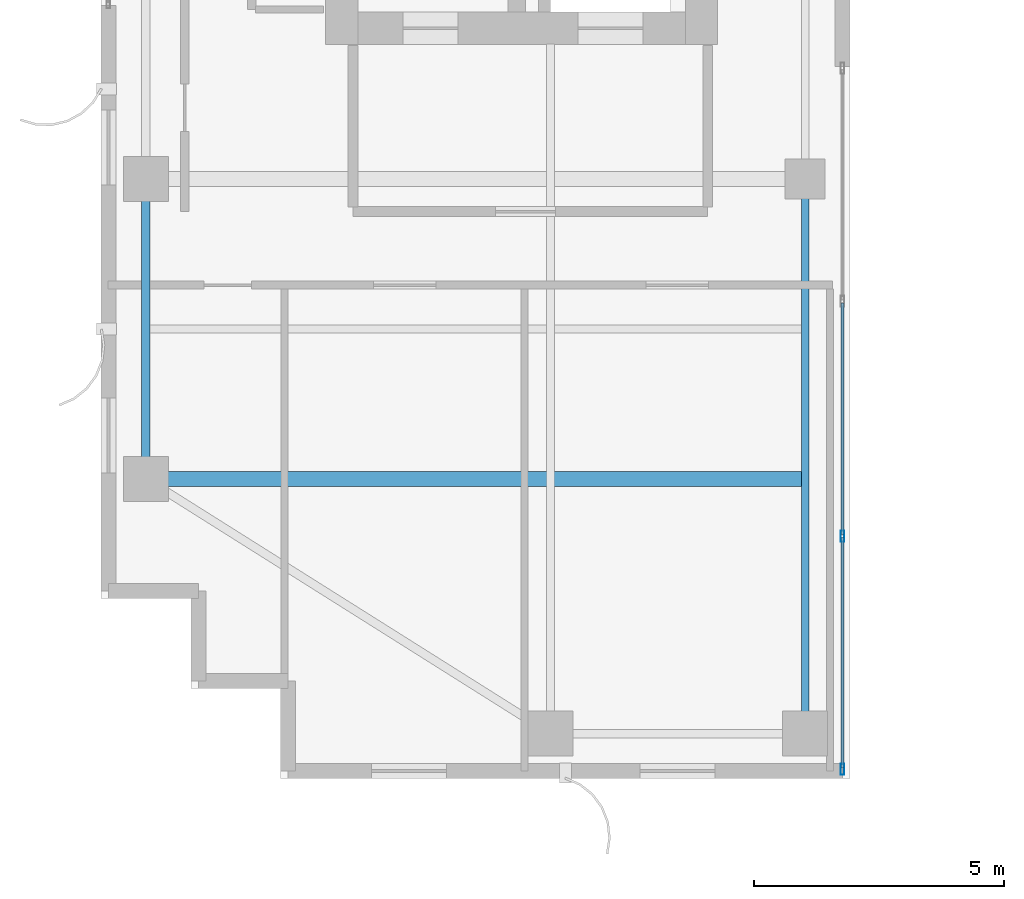
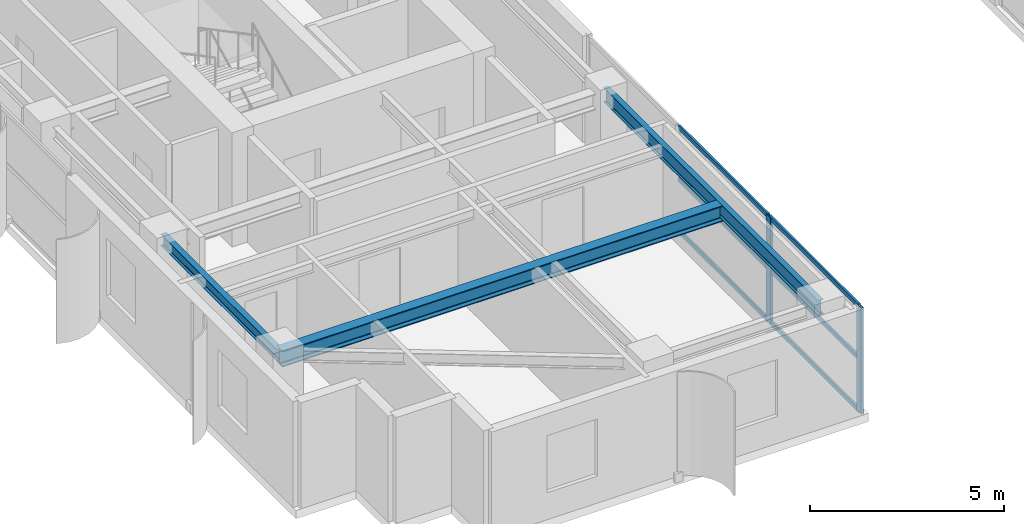
# One storey, part 2 of 22: 8 members, 3 beams, 1 element without a shape of its own.
"""IFC4 building model written with IfcOpenShell, lengths in metres."""

from ifc_helpers import new_model, si_unit, direction, frame, origin, origin_2d, place, context, subcontext, project, spatial, hollow_rectangle, i_section, extrude, source, transform, mapped, material, layer, layer_set, material_profile, profile_set, type_object, element, aggregate, save


model = new_model("IFC4")

# Units and contexts
model_context = context("Model", 3, precision=1e-05, world=origin(), true_north=direction((0.0, 1.0)))
body_context = subcontext(model_context, "Body", "Model", "MODEL_VIEW")
ifc_project = project(units=[si_unit("LENGTHUNIT", "METRE"), si_unit("AREAUNIT", "SQUARE_METRE"), si_unit("VOLUMEUNIT", "CUBIC_METRE"), si_unit("PLANEANGLEUNIT", "RADIAN"), si_unit("MASSUNIT", "GRAM", prefix="KILO")], contexts=[model_context])

# Site, building, storey
site_placement = place(None, origin())
site = spatial("IfcSite", under=ifc_project, at=site_placement, CompositionType="ELEMENT")
building_placement = place(site_placement, origin())
building = spatial("IfcBuilding", under=site, at=building_placement, Name="Khoralis Quay Care Tower", CompositionType="ELEMENT")
storey_placement = place(building_placement, frame((0.0, 0.0, 202.5)))
storey = spatial("IfcBuildingStorey", under=building, at=storey_placement, Name="L53", CompositionType="ELEMENT", Elevation=202.5)

# Beams
ifc_material_1 = material(Name="Steel S355", Category="steel")
ifc_material_profile_1 = material_profile(ifc_material_1, i_section(OverallWidth=0.169921875, OverallDepth=0.360107421875, WebThickness=0.008056640625, FlangeThickness=0.0126953125, FilletRadius=0.01806640625, at=origin_2d()), Name="Steel S355")
ifc_profile_set_1 = profile_set([ifc_material_profile_1], Name="Steel S355")
beam_type_1 = type_object("IfcBeamType", Name="BM-IPE360", PredefinedType="SPANDREL", material=ifc_profile_set_1)
shared_shape_1 = source(origin(), body_context, "Body", "SweptSolid", [
    extrude(i_section(OverallWidth=0.169921875, OverallDepth=0.360107421875, WebThickness=0.008056640625, FlangeThickness=0.0126953125, FilletRadius=0.01806640625, at=origin_2d()), origin(), (0.0, 0.0, 1.0), 6.0),
])
beam_1_placement = place(storey_placement, frame((3.89990234375, 6.0, 3.159912109375), z_axis=(0.0, 1.0, 0.0), x_axis=(-1.0, 0.0, 0.0)))
element("IfcBeam", 1, at=beam_1_placement, inside=storey, type_object=beam_type_1, Name="BM-TSP-L53-05", PredefinedType="SPANDREL", context=body_context, shape_type="MappedRepresentation", body=[
    mapped(shared_shape_1, transform((0.0, 0.0, 0.0), scale=1.0)),
])
ifc_material_profile_2 = material_profile(ifc_material_1, i_section(OverallWidth=0.300048828125, OverallDepth=0.5, WebThickness=0.014404296875, FlangeThickness=0.028076171875, FilletRadius=0.027099609375, at=origin_2d()), Name="Steel S355")
ifc_profile_set_2 = profile_set([ifc_material_profile_2], Name="Steel S355")
beam_type_2 = type_object("IfcBeamType", Name="BM-HEB500", PredefinedType="BEAM", material=ifc_profile_set_2)
shared_shape_2 = source(origin(), body_context, "Body", "SweptSolid", [
    extrude(i_section(OverallWidth=0.300048828125, OverallDepth=0.5, WebThickness=0.014404296875, FlangeThickness=0.028076171875, FilletRadius=0.027099609375, at=origin_2d()), origin(), (0.0, 0.0, 1.0), 13.135009765625),
])
beam_2_placement = place(storey_placement, frame((3.89990234375, 6.0, 3.090087890625), z_axis=(1.0, 0.0, 0.0), x_axis=(0.0, 1.0, 0.0)))
element("IfcBeam", 2, at=beam_2_placement, inside=storey, type_object=beam_type_2, Name="BM-TGXW-L53-60", PredefinedType="BEAM", context=body_context, shape_type="MappedRepresentation", body=[
    mapped(shared_shape_2, transform((0.0, 0.0, 0.0), scale=1.0)),
])
ifc_material_profile_3 = material_profile(ifc_material_1, i_section(OverallWidth=0.154052734375, OverallDepth=0.458984375, WebThickness=0.009033203125, FlangeThickness=0.015380859375, FilletRadius=0.014892578125, at=origin_2d()), Name="Steel S355")
ifc_profile_set_3 = profile_set([ifc_material_profile_3], Name="Steel S355")
beam_type_3 = type_object("IfcBeamType", Name="BM-W460X68", PredefinedType="BEAM", material=ifc_profile_set_3)
shared_shape_3 = source(origin(), body_context, "Body", "SweptSolid", [
    extrude(i_section(OverallWidth=0.154052734375, OverallDepth=0.458984375, WebThickness=0.009033203125, FlangeThickness=0.015380859375, FilletRadius=0.014892578125, at=origin_2d()), origin(), (0.0, 0.0, 1.0), 11.10009765625),
])
beam_3_placement = place(storey_placement, frame((17.10009765625, 0.89990234375, 3.110595703125), z_axis=(0.0, 1.0, 0.0), x_axis=(-1.0, 0.0, 0.0)))
element("IfcBeam", 3, at=beam_3_placement, inside=storey, type_object=beam_type_3, Name="BM-TGYS-L53-171", PredefinedType="BEAM", context=body_context, shape_type="MappedRepresentation", body=[
    mapped(shared_shape_3, transform((0.0, 0.0, 0.0), scale=1.0)),
])

# Curtain wall, members
ifc_material_2 = material(Name="Pale anodised aluminium", Category="aluminium")
ifc_layer = layer(ifc_material_2, 0.18994140625)
ifc_layer_set = layer_set([ifc_layer], Name="Pale anodised aluminium")
curtain_wall_type = type_object("IfcCurtainWallType", Name="CW-SYS-PORTAL", PredefinedType="NOTDEFINED", material=ifc_layer_set)
curtain_wall_placement = place(storey_placement, origin())
curtain_wall = element("IfcCurtainWall", 4, at=curtain_wall_placement, inside=storey, type_object=curtain_wall_type, Name="L53 Unitised Curtain Wall CW-VP-L53-P1-S", PredefinedType="NOTDEFINED")
ifc_material_profile_4 = material_profile(ifc_material_2, hollow_rectangle(XDim=0.074951171875, YDim=0.219970703125, WallThickness=0.00390625, at=origin_2d()), Name="Pale anodised aluminium")
ifc_profile_set_4 = profile_set([ifc_material_profile_4], Name="Pale anodised aluminium")
member_type_1 = type_object("IfcMemberType", Name="CW-MUL-220", PredefinedType="MULLION", material=ifc_profile_set_4)
shared_shape_4 = source(origin(), body_context, "Body", "SweptSolid", [
    extrude(hollow_rectangle(XDim=0.074951171875, YDim=0.219970703125, WallThickness=0.00390625, at=origin_2d()), origin(), (0.0, 0.0, 1.0), 3.340087890625),
])
member_1_placement = place(storey_placement, frame((17.85009765625, 0.179931640625, 0.0), z_axis=(0.0, 0.0, 1.0), x_axis=(-1.0, 0.0, 0.0)))
member_1 = element("IfcMember", 5, at=member_1_placement, type_object=member_type_1, Name="CW4 mullion 1", PredefinedType="MULLION", context=body_context, shape_type="MappedRepresentation", body=[
    mapped(shared_shape_4, transform((0.0, 0.0, 0.0), scale=1.0)),
])
member_2_placement = place(storey_placement, frame((17.85009765625, 4.85009765625, 0.0), z_axis=(0.0, 0.0, 1.0), x_axis=(-1.0, 0.0, 0.0)))
member_2 = element("IfcMember", 6, at=member_2_placement, type_object=member_type_1, Name="CW4 mullion 2", PredefinedType="MULLION", context=body_context, shape_type="MappedRepresentation", body=[
    mapped(shared_shape_4, transform((0.0, 0.0, 0.0), scale=1.0)),
])
ifc_material_profile_5 = material_profile(ifc_material_2, hollow_rectangle(XDim=0.06005859375, YDim=0.139892578125, WallThickness=0.00390625, at=origin_2d()), Name="Pale anodised aluminium")
ifc_profile_set_5 = profile_set([ifc_material_profile_5], Name="Pale anodised aluminium")
member_type_2 = type_object("IfcMemberType", Name="CW-TRN-140", PredefinedType="USERDEFINED", material=ifc_profile_set_5)
shared_shape_5 = source(origin(), body_context, "Body", "SweptSolid", [
    extrude(hollow_rectangle(XDim=0.06005859375, YDim=0.139892578125, WallThickness=0.00390625, at=origin_2d()), origin(), (0.0, 0.0, 1.0), 4.610107421875),
])
member_3_placement = place(storey_placement, frame((17.85009765625, 0.2099609375, 0.030029296875), z_axis=(0.0, 1.0, 0.0), x_axis=(-1.0, 0.0, 0.0)))
member_3 = element("IfcMember", 7, at=member_3_placement, type_object=member_type_2, Name="CW4 transom 1.1", ObjectType="TRANSOM", PredefinedType="USERDEFINED", context=body_context, shape_type="MappedRepresentation", body=[
    mapped(shared_shape_5, transform((0.0, 0.0, 0.0), scale=1.0)),
])
member_4_placement = place(storey_placement, frame((17.85009765625, 0.2099609375, 1.669921875), z_axis=(0.0, 1.0, 0.0), x_axis=(-1.0, 0.0, 0.0)))
member_4 = element("IfcMember", 8, at=member_4_placement, type_object=member_type_2, Name="CW4 transom 1.2", ObjectType="TRANSOM", PredefinedType="USERDEFINED", context=body_context, shape_type="MappedRepresentation", body=[
    mapped(shared_shape_5, transform((0.0, 0.0, 0.0), scale=1.0)),
])
member_5_placement = place(storey_placement, frame((17.85009765625, 0.2099609375, 3.31005859375), z_axis=(0.0, 1.0, 0.0), x_axis=(-1.0, 0.0, 0.0)))
member_5 = element("IfcMember", 9, at=member_5_placement, type_object=member_type_2, Name="CW4 transom 1.3", ObjectType="TRANSOM", PredefinedType="USERDEFINED", context=body_context, shape_type="MappedRepresentation", body=[
    mapped(shared_shape_5, transform((0.0, 0.0, 0.0), scale=1.0)),
])
shared_shape_6 = source(origin(), body_context, "Body", "SweptSolid", [
    extrude(hollow_rectangle(XDim=0.06005859375, YDim=0.139892578125, WallThickness=0.00390625, at=origin_2d()), origin(), (0.0, 0.0, 1.0), 4.64013671875),
])
member_6_placement = place(storey_placement, frame((17.85009765625, 4.8798828125, 0.030029296875), z_axis=(0.0, 1.0, 0.0), x_axis=(-1.0, 0.0, 0.0)))
member_6 = element("IfcMember", 10, at=member_6_placement, type_object=member_type_2, Name="CW4 transom 2.1", ObjectType="TRANSOM", PredefinedType="USERDEFINED", context=body_context, shape_type="MappedRepresentation", body=[
    mapped(shared_shape_6, transform((0.0, 0.0, 0.0), scale=1.0)),
])
member_7_placement = place(storey_placement, frame((17.85009765625, 4.8798828125, 1.669921875), z_axis=(0.0, 1.0, 0.0), x_axis=(-1.0, 0.0, 0.0)))
member_7 = element("IfcMember", 11, at=member_7_placement, type_object=member_type_2, Name="CW4 transom 2.2", ObjectType="TRANSOM", PredefinedType="USERDEFINED", context=body_context, shape_type="MappedRepresentation", body=[
    mapped(shared_shape_6, transform((0.0, 0.0, 0.0), scale=1.0)),
])
member_8_placement = place(storey_placement, frame((17.85009765625, 4.8798828125, 3.31005859375), z_axis=(0.0, 1.0, 0.0), x_axis=(-1.0, 0.0, 0.0)))
member_8 = element("IfcMember", 12, at=member_8_placement, type_object=member_type_2, Name="CW4 transom 2.3", ObjectType="TRANSOM", PredefinedType="USERDEFINED", context=body_context, shape_type="MappedRepresentation", body=[
    mapped(shared_shape_6, transform((0.0, 0.0, 0.0), scale=1.0)),
])
aggregate(curtain_wall, [member_1, member_2, member_3, member_4, member_5, member_6, member_7, member_8])

save(model, "model.ifc")
